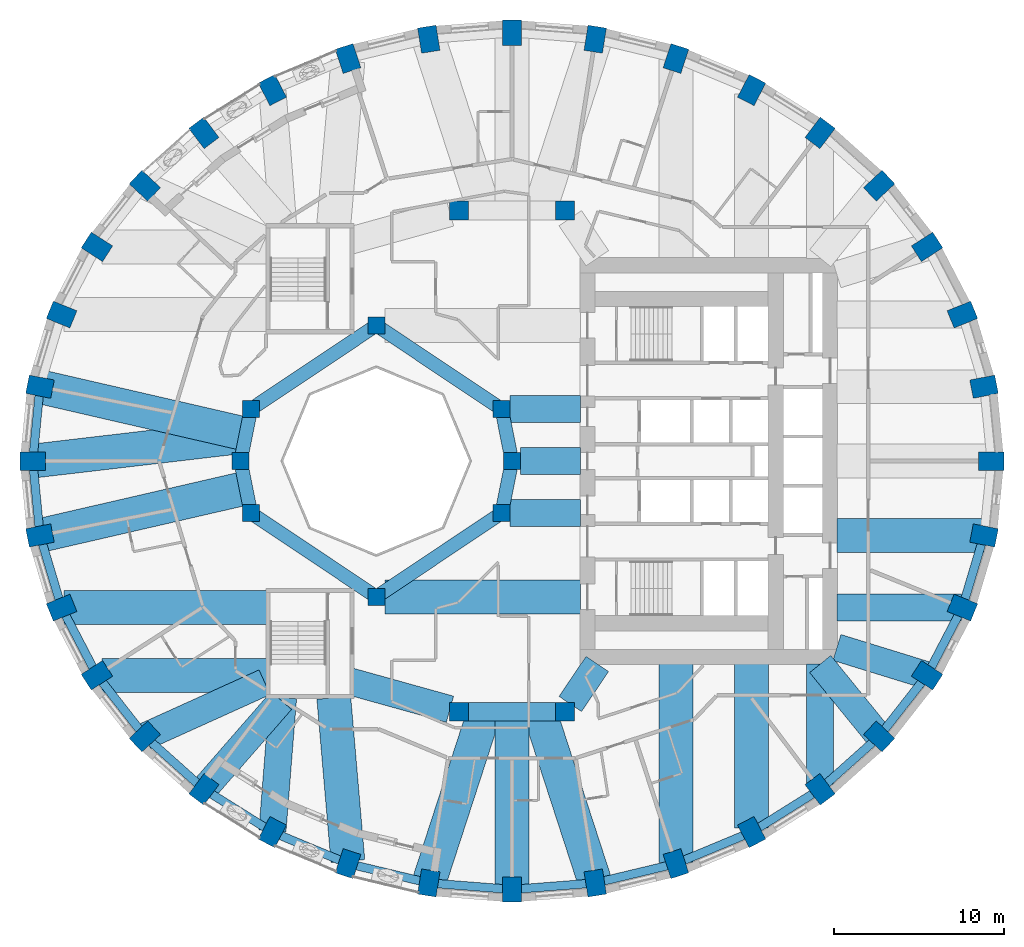
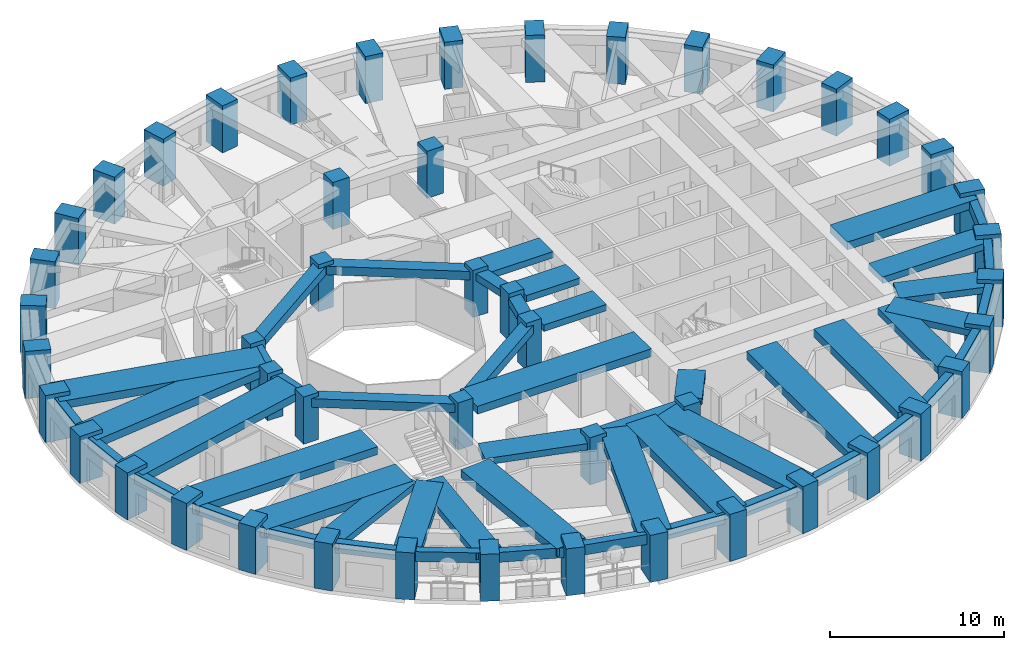
# One storey, part 1 of 13: 52 beams, 48 columns.
"""IFC4 building model written with IfcOpenShell, lengths in metres."""

from ifc_helpers import new_model, si_unit, direction, frame, origin, origin_2d, place, context, subcontext, project, spatial, rectangle, extrude, material, material_profile, profile_set, type_object, element, save


model = new_model("IFC4")

# Units and contexts
model_context = context("Model", 3, precision=1e-05, world=origin(), true_north=direction((0.0, 1.0)))
body_context = subcontext(model_context, "Body", "Model", "MODEL_VIEW")
ifc_project = project(units=[si_unit("LENGTHUNIT", "METRE"), si_unit("AREAUNIT", "SQUARE_METRE"), si_unit("VOLUMEUNIT", "CUBIC_METRE"), si_unit("PLANEANGLEUNIT", "RADIAN"), si_unit("MASSUNIT", "GRAM", prefix="KILO")], contexts=[model_context])

# Site, building, storey
site_placement = place(None, origin())
site = spatial("IfcSite", under=ifc_project, at=site_placement, CompositionType="ELEMENT")
building_placement = place(site_placement, origin())
building = spatial("IfcBuilding", under=site, at=building_placement, Name="Taillehof Tower", CompositionType="ELEMENT")
storey_placement = place(building_placement, frame((0.0, 0.0, 41.5)))
storey = spatial("IfcBuildingStorey", under=building, at=storey_placement, Name="L10", CompositionType="ELEMENT", Elevation=41.5)

# Columns
ifc_material_1 = material(Name="Concrete C50/60", Category="concrete")
ifc_material_profile_1 = material_profile(ifc_material_1, rectangle(XDim=1.0, YDim=1.0, at=origin_2d()), Name="RC 1000x1000")
ifc_profile_set_1 = profile_set([ifc_material_profile_1], Name="Concrete C50/60")
column_type_1 = type_object("IfcColumnType", Name="Atrium ring column C50/60 1000x1000", PredefinedType="COLUMN", material=ifc_profile_set_1)
for number, where, z_axis, x_axis, name in (
    (1, (0.0, 0.0, 0.0), (0.0, 0.0, 1.0), (1.0, 0.0, 0.0), "Column AC01"),
    (2, (-8.0, 8.0, 0.0), (0.0, 0.0, 1.0), (1.0, 0.0, 0.0), "Column AC05"),
    (3, (-15.39111328125, 3.0615234375, 0.0), (0.0, 0.0, 1.0), (1.0, 0.0, 0.0), "Column AC08"),
    (4, (-16.0, 0.0, 0.0), (0.0, 0.0, 1.0), (1.0, 0.0, 0.0), "Column AC09"),
    (5, (-15.39111328125, -3.0615234375, 0.0), (0.0, 0.0, 1.0), (1.0, 0.0, 0.0), "Column AC10"),
    (6, (-8.0, -8.0, 0.0), (0.0, 0.0, 1.0), (1.0, 0.0, 0.0), "Column AC13"),
):
    element("IfcColumn", number, at=place(storey_placement, frame(where, z_axis=z_axis, x_axis=x_axis)), inside=storey, type_object=column_type_1, Name=name, PredefinedType="COLUMN", context=body_context, shape_type="SweptSolid", body=[
        extrude(rectangle(XDim=1.0, YDim=1.0, at=origin_2d()), origin(), (0.0, 0.0, 1.0), 3.300048828125),
    ])
ifc_material_2 = material(Name="Concrete C60/75", Category="concrete")
ifc_material_profile_2 = material_profile(ifc_material_2, rectangle(XDim=1.0, YDim=1.0, at=origin_2d()), Name="RC 1000x1000")
ifc_profile_set_2 = profile_set([ifc_material_profile_2], Name="Concrete C60/75")
column_type_2 = type_object("IfcColumnType", Name="Atrium ring column C60/75 1000x1000", PredefinedType="COLUMN", material=ifc_profile_set_2)
for number, where, z_axis, x_axis, name in (
    (7, (-0.60888671875, 3.0615234375, 0.0), (0.0, 0.0, 1.0), (1.0, 0.0, 0.0), "Column AC02"),
    (8, (-0.60888671875, -3.0615234375, 0.0), (0.0, 0.0, 1.0), (1.0, 0.0, 0.0), "Column AC16"),
):
    element("IfcColumn", number, at=place(storey_placement, frame(where, z_axis=z_axis, x_axis=x_axis)), inside=storey, type_object=column_type_2, Name=name, PredefinedType="COLUMN", context=body_context, shape_type="SweptSolid", body=[
        extrude(rectangle(XDim=1.0, YDim=1.0, at=origin_2d()), origin(), (0.0, 0.0, 1.0), 3.300048828125),
    ])
ifc_material_3 = material(Name="Concrete C60/75", Category="concrete")
ifc_material_profile_3 = material_profile(ifc_material_3, rectangle(XDim=1.10009765625, YDim=1.10009765625, at=origin_2d()), Name="RC 1100x1100")
ifc_profile_set_3 = profile_set([ifc_material_profile_3], Name="Concrete C60/75")
column_type_3 = type_object("IfcColumnType", Name="Mid-ring column C60/75 1100x1100", PredefinedType="COLUMN", material=ifc_profile_set_3)
for number, where, z_axis, x_axis, name in (
    (9, (3.125732421875, 14.772216796875, 0.0), (0.0, 0.0, 1.0), (1.0, 0.0, 0.0), "Column MC05"),
    (10, (3.125732421875, -14.772216796875, 0.0), (0.0, 0.0, 1.0), (1.0, 0.0, 0.0), "Column MC15"),
):
    element("IfcColumn", number, at=place(storey_placement, frame(where, z_axis=z_axis, x_axis=x_axis)), inside=storey, type_object=column_type_3, Name=name, PredefinedType="COLUMN", context=body_context, shape_type="SweptSolid", body=[
        extrude(rectangle(XDim=1.10009765625, YDim=1.10009765625, at=origin_2d()), origin(), (0.0, 0.0, 1.0), 3.300048828125),
    ])
ifc_material_4 = material(Name="Concrete C70/85", Category="concrete")
ifc_material_profile_4 = material_profile(ifc_material_4, rectangle(XDim=1.10009765625, YDim=1.10009765625, at=origin_2d()), Name="RC 1100x1100")
ifc_profile_set_4 = profile_set([ifc_material_profile_4], Name="Concrete C70/85")
column_type_4 = type_object("IfcColumnType", Name="Mid-ring column C70/85 1100x1100", PredefinedType="COLUMN", material=ifc_profile_set_4)
for number, where, z_axis, x_axis, name in (
    (11, (-3.125732421875, 14.772216796875, 0.0), (0.0, 0.0, 1.0), (1.0, 0.0, 0.0), "Column MC06"),
    (12, (-3.125732421875, -14.772216796875, 0.0), (0.0, 0.0, 1.0), (1.0, 0.0, 0.0), "Column MC14"),
):
    element("IfcColumn", number, at=place(storey_placement, frame(where, z_axis=z_axis, x_axis=x_axis)), inside=storey, type_object=column_type_4, Name=name, PredefinedType="COLUMN", context=body_context, shape_type="SweptSolid", body=[
        extrude(rectangle(XDim=1.10009765625, YDim=1.10009765625, at=origin_2d()), origin(), (0.0, 0.0, 1.0), 3.300048828125),
    ])
ifc_material_5 = material(Name="Concrete C70/85", Category="concrete")
ifc_material_profile_5 = material_profile(ifc_material_5, rectangle(XDim=1.5, YDim=1.10009765625, at=origin_2d()), Name="RC 1500x1100")
ifc_profile_set_5 = profile_set([ifc_material_profile_5], Name="Concrete C70/85")
column_type_5 = type_object("IfcColumnType", Name="Ring column C70/85 1500x1100", PredefinedType="COLUMN", material=ifc_profile_set_5)
for number, where, z_axis, x_axis, name in (
    (13, (28.25, 0.0, 0.0), (0.0, 0.0, 1.0), (1.0, 0.0, 0.0), "Ring column RC01"),
    (14, (27.82080078125, 4.384521484375, 0.0), (0.0, 0.0, 1.0), (0.98120354895, 0.192975634545, 0.0), "Ring column RC02"),
    (15, (26.54638671875, 8.635986328125, 0.0), (0.0, 0.0, 1.0), (0.926558045297, 0.37615181602, 0.0), "Ring column RC03"),
    (16, (24.46533203125, 12.625, 0.0), (0.0, 0.0, 1.0), (0.840753565229, 0.541417992456, 0.0), "Ring column RC04"),
    (17, (21.640869140625, 16.23046875, 0.0), (0.0, 0.0, 1.0), (0.730113022917, 0.683326403535, 0.0), "Ring column RC05"),
    (18, (18.15869140625, 19.342529296875, 0.0), (0.0, 0.0, 1.0), (0.601173783055, 0.79911831575, 0.0), "Ring column RC06"),
    (19, (14.125, 21.8671875, 0.0), (0.0, 0.0, 1.0), (0.459691308511, 0.888078769524, 0.0), "Ring column RC07"),
    (20, (9.662109375, 23.727294921875, 0.0), (0.0, 0.0, 1.0), (0.310219183529, 0.950665060981, 0.0), "Ring column RC08"),
    (21, (4.905517578125, 24.866455078125, 0.0), (0.0, 0.0, 1.0), (0.15614709407, 0.987733812833, 0.0), "Ring column RC09"),
    (22, (0.0, 25.25, 0.0), (0.0, 0.0, 1.0), (0.0, 1.0, 0.0), "Ring column RC10"),
    (23, (-4.905517578125, 24.866455078125, 0.0), (0.0, 0.0, 1.0), (-0.15614709407, 0.987733812833, 0.0), "Ring column RC11"),
    (24, (-9.662109375, 23.727294921875, 0.0), (0.0, 0.0, 1.0), (-0.310219183529, 0.950665060981, 0.0), "Ring column RC12"),
    (25, (-14.125, 21.8671875, 0.0), (0.0, 0.0, 1.0), (-0.459691308511, 0.888078769524, 0.0), "Ring column RC13"),
    (26, (-18.15869140625, 19.342529296875, 0.0), (0.0, 0.0, 1.0), (-0.601173783055, 0.79911831575, 0.0), "Ring column RC14"),
    (27, (-21.640869140625, 16.23046875, 0.0), (0.0, 0.0, 1.0), (-0.730113022917, 0.683326403535, 0.0), "Ring column RC15"),
    (28, (-24.46533203125, 12.625, 0.0), (0.0, 0.0, 1.0), (-0.840753565229, 0.541417992456, 0.0), "Ring column RC16"),
    (29, (-26.54638671875, 8.635986328125, 0.0), (0.0, 0.0, 1.0), (-0.926558045297, 0.37615181602, 0.0), "Ring column RC17"),
    (30, (-27.82080078125, 4.384521484375, 0.0), (0.0, 0.0, 1.0), (-0.98120354895, 0.192975634545, 0.0), "Ring column RC18"),
    (31, (-28.25, 0.0, 0.0), (0.0, 0.0, 1.0), (-1.0, 0.0, 0.0), "Ring column RC19"),
    (32, (-27.82080078125, -4.384521484375, 0.0), (0.0, 0.0, 1.0), (-0.98120354895, -0.192975634545, 0.0), "Ring column RC20"),
    (33, (-26.54638671875, -8.635986328125, 0.0), (0.0, 0.0, 1.0), (-0.926558045297, -0.37615181602, 0.0), "Ring column RC21"),
    (34, (-24.46533203125, -12.625, 0.0), (0.0, 0.0, 1.0), (-0.840753565229, -0.541417992456, 0.0), "Ring column RC22"),
    (35, (-21.640869140625, -16.23046875, 0.0), (0.0, 0.0, 1.0), (-0.730113022917, -0.683326403535, 0.0), "Ring column RC23"),
    (36, (-18.15869140625, -19.342529296875, 0.0), (0.0, 0.0, 1.0), (-0.601173783055, -0.79911831575, 0.0), "Ring column RC24"),
    (37, (-14.125, -21.8671875, 0.0), (0.0, 0.0, 1.0), (-0.459691308511, -0.888078769524, 0.0), "Ring column RC25"),
    (38, (-9.662109375, -23.727294921875, 0.0), (0.0, 0.0, 1.0), (-0.310219183529, -0.950665060981, 0.0), "Ring column RC26"),
    (39, (-4.905517578125, -24.866455078125, 0.0), (0.0, 0.0, 1.0), (-0.15614709407, -0.987733812833, 0.0), "Ring column RC27"),
    (40, (0.0, -25.25, 0.0), (0.0, 0.0, 1.0), (0.0, -1.0, 0.0), "Ring column RC28"),
    (41, (4.905517578125, -24.866455078125, 0.0), (0.0, 0.0, 1.0), (0.15614709407, -0.987733812833, 0.0), "Ring column RC29"),
    (42, (9.662109375, -23.727294921875, 0.0), (0.0, 0.0, 1.0), (0.310219183529, -0.950665060981, 0.0), "Ring column RC30"),
    (43, (14.125, -21.8671875, 0.0), (0.0, 0.0, 1.0), (0.459691308511, -0.888078769524, 0.0), "Ring column RC31"),
    (44, (18.15869140625, -19.342529296875, 0.0), (0.0, 0.0, 1.0), (0.601173783055, -0.79911831575, 0.0), "Ring column RC32"),
    (45, (21.640869140625, -16.23046875, 0.0), (0.0, 0.0, 1.0), (0.730113022917, -0.683326403535, 0.0), "Ring column RC33"),
    (46, (24.46533203125, -12.625, 0.0), (0.0, 0.0, 1.0), (0.840753565229, -0.541417992456, 0.0), "Ring column RC34"),
    (47, (26.54638671875, -8.635986328125, 0.0), (0.0, 0.0, 1.0), (0.926558045297, -0.37615181602, 0.0), "Ring column RC35"),
    (48, (27.82080078125, -4.384521484375, 0.0), (0.0, 0.0, 1.0), (0.98120354895, -0.192975634545, 0.0), "Ring column RC36"),
):
    element("IfcColumn", number, at=place(storey_placement, frame(where, z_axis=z_axis, x_axis=x_axis)), inside=storey, type_object=column_type_5, Name=name, PredefinedType="COLUMN", context=body_context, shape_type="SweptSolid", body=[
        extrude(rectangle(XDim=1.5, YDim=1.10009765625, at=origin_2d()), origin(), (0.0, 0.0, 1.0), 3.300048828125),
    ])

# Beams
ifc_material_6 = material(Name="Concrete C50/60", Category="concrete")
ifc_material_profile_6 = material_profile(ifc_material_6, rectangle(XDim=0.800048828125, YDim=0.5, at=origin_2d()), Name="RC 800x500")
ifc_profile_set_6 = profile_set([ifc_material_profile_6], Name="Concrete C50/60")
beam_type_1 = type_object("IfcBeamType", Name="Atrium ring beam C50/60 800x500", PredefinedType="BEAM", material=ifc_profile_set_6)
for number, where, z_axis, x_axis, name in (
    (49, (0.0, 0.0, 2.77001953125), (-0.195063155143, 0.980790683839, 0.0), (-0.980790683839, -0.195063155143, 0.0), "Atrium ring beam AB01"),
    (50, (-15.39111328125, 3.0615234375, 2.77001953125), (-0.195063155143, -0.980790683839, 0.0), (0.980790683839, -0.195063155143, 0.0), "Atrium ring beam AB04"),
    (51, (-16.0, 0.0, 2.77001953125), (0.195063155143, -0.980790683839, 0.0), (0.980790683839, 0.195063155143, 0.0), "Atrium ring beam AB05"),
    (52, (-0.60888671875, -3.0615234375, 2.77001953125), (0.195063155143, 0.980790683839, 0.0), (-0.980790683839, 0.195063155143, 0.0), "Atrium ring beam AB08"),
):
    element("IfcBeam", number, at=place(storey_placement, frame(where, z_axis=z_axis, x_axis=x_axis)), inside=storey, type_object=beam_type_1, Name=name, PredefinedType="BEAM", context=body_context, shape_type="SweptSolid", body=[
        extrude(rectangle(XDim=0.800048828125, YDim=0.5, at=origin_2d()), origin(), (0.0, 0.0, 1.0), 3.12158203125),
    ])
ifc_material_7 = material(Name="Concrete C50/60", Category="concrete")
ifc_material_profile_7 = material_profile(ifc_material_7, rectangle(XDim=0.800048828125, YDim=0.60009765625, at=origin_2d()), Name="RC 800x600")
ifc_profile_set_7 = profile_set([ifc_material_profile_7], Name="Concrete C50/60")
beam_type_2 = type_object("IfcBeamType", Name="Atrium ring beam C50/60 800x600", PredefinedType="BEAM", material=ifc_profile_set_7)
for number, where, z_axis, x_axis, name in (
    (53, (-0.60888671875, 3.0615234375, 2.719970703125), (-0.831475195687, 0.555561876804, 0.0), (-0.555561876804, -0.831475195687, 0.0), "Atrium ring beam AB02"),
    (54, (-8.0, 8.0, 2.719970703125), (-0.831475195687, -0.555561876804, 0.0), (0.555561876804, -0.831475195687, 0.0), "Atrium ring beam AB03"),
    (55, (-15.39111328125, -3.0615234375, 2.719970703125), (0.831475195687, -0.555561876804, 0.0), (0.555561876804, 0.831475195687, 0.0), "Atrium ring beam AB06"),
    (56, (-8.0, -8.0, 2.719970703125), (0.831475195687, 0.555561876804, 0.0), (-0.555561876804, 0.831475195687, 0.0), "Atrium ring beam AB07"),
):
    element("IfcBeam", number, at=place(storey_placement, frame(where, z_axis=z_axis, x_axis=x_axis)), inside=storey, type_object=beam_type_2, Name=name, PredefinedType="BEAM", context=body_context, shape_type="SweptSolid", body=[
        extrude(rectangle(XDim=0.800048828125, YDim=0.60009765625, at=origin_2d()), origin(), (0.0, 0.0, 1.0), 8.88916015625),
    ])
ifc_material_8 = material(Name="Concrete C50/60", Category="concrete")
ifc_material_profile_8 = material_profile(ifc_material_8, rectangle(XDim=1.10009765625, YDim=0.60009765625, at=origin_2d()), Name="RC 1100x600")
ifc_profile_set_8 = profile_set([ifc_material_profile_8], Name="Concrete C50/60")
beam_type_3 = type_object("IfcBeamType", Name="Mid-ring beam C50/60 1100x600", PredefinedType="BEAM", material=ifc_profile_set_8)
beam_1_placement = place(storey_placement, frame((-3.125732421875, -14.772216796875, 2.719970703125), z_axis=(1.0, 0.0, 0.0), x_axis=(0.0, 1.0, 0.0)))
element("IfcBeam", 57, at=beam_1_placement, inside=storey, type_object=beam_type_3, Name="Mid-ring beam MB02", PredefinedType="BEAM", context=body_context, shape_type="SweptSolid", body=[
    extrude(rectangle(XDim=1.10009765625, YDim=0.60009765625, at=origin_2d()), origin(), (0.0, 0.0, 1.0), 6.25146484375),
])
ifc_material_9 = material(Name="Concrete C50/60", Category="concrete")
ifc_material_profile_9 = material_profile(ifc_material_9, rectangle(XDim=1.60009765625, YDim=0.449951171875, at=origin_2d()), Name="RC 1600x450")
ifc_profile_set_9 = profile_set([ifc_material_profile_9], Name="Concrete C50/60")
beam_type_4 = type_object("IfcBeamType", Name="Radial band beam C50/60 1600x450", PredefinedType="BEAM", material=ifc_profile_set_9)
beam_2_placement = place(storey_placement, frame((-21.632568359375, -16.226806640625, 2.794921875), z_axis=(0.911100590789, 0.412184077161, 0.0), x_axis=(-0.412184077161, 0.911100590789, 0.0)))
element("IfcBeam", 58, at=beam_2_placement, inside=storey, type_object=beam_type_4, Name="Radial band beam RB23", PredefinedType="BEAM", context=body_context, shape_type="SweptSolid", body=[
    extrude(rectangle(XDim=1.60009765625, YDim=0.449951171875, at=origin_2d()), origin(), (0.0, 0.0, 1.0), 7.740966796875),
])
beam_3_placement = place(storey_placement, frame((-18.15869140625, -19.342529296875, 2.794921875), z_axis=(0.65721824087, 0.753700327628, 0.0), x_axis=(-0.753700327628, 0.65721824087, 0.0)))
element("IfcBeam", 59, at=beam_3_placement, inside=storey, type_object=beam_type_4, Name="Radial band beam RB24", PredefinedType="BEAM", context=body_context, shape_type="SweptSolid", body=[
    extrude(rectangle(XDim=1.60009765625, YDim=0.449951171875, at=origin_2d()), origin(), (0.0, 0.0, 1.0), 6.9384765625),
])
beam_4_placement = place(storey_placement, frame((-14.119873046875, -21.802978515625, 2.794921875), z_axis=(0.079184740988, 0.996859958467, 0.0), x_axis=(-0.996859958467, 0.079184740988, 0.0)))
element("IfcBeam", 60, at=beam_4_placement, inside=storey, type_object=beam_type_4, Name="Radial band beam RB25", PredefinedType="BEAM", context=body_context, shape_type="SweptSolid", body=[
    extrude(rectangle(XDim=1.60009765625, YDim=0.449951171875, at=origin_2d()), origin(), (0.0, 0.0, 1.0), 7.87744140625),
])
beam_5_placement = place(storey_placement, frame((18.15869140625, -19.05517578125, 2.794921875), z_axis=(0.0, 1.0, 0.0), x_axis=(-1.0, 0.0, 0.0)))
element("IfcBeam", 61, at=beam_5_placement, inside=storey, type_object=beam_type_4, Name="Radial band beam RB32", PredefinedType="BEAM", context=body_context, shape_type="SweptSolid", body=[
    extrude(rectangle(XDim=1.60009765625, YDim=0.449951171875, at=origin_2d()), origin(), (0.0, 0.0, 1.0), 7.105224609375),
])
beam_6_placement = place(storey_placement, frame((21.640869140625, -16.23046875, 2.794921875), z_axis=(-0.630988373846, 0.775792286679, 0.0), x_axis=(-0.775792286679, -0.630988373846, 0.0)))
element("IfcBeam", 62, at=beam_6_placement, inside=storey, type_object=beam_type_4, Name="Radial band beam RB33", PredefinedType="BEAM", context=body_context, shape_type="SweptSolid", body=[
    extrude(rectangle(XDim=1.60009765625, YDim=0.449951171875, at=origin_2d()), origin(), (0.0, 0.0, 1.0), 5.503173828125),
])
beam_7_placement = place(storey_placement, frame((24.46533203125, -12.625, 2.794921875), z_axis=(-0.955535654338, 0.294875589511, 0.0), x_axis=(-0.294875589511, -0.955535654338, 0.0)))
element("IfcBeam", 63, at=beam_7_placement, inside=storey, type_object=beam_type_4, Name="Radial band beam RB34", PredefinedType="BEAM", context=body_context, shape_type="SweptSolid", body=[
    extrude(rectangle(XDim=1.60009765625, YDim=0.449951171875, at=origin_2d()), origin(), (0.0, 0.0, 1.0), 5.560546875),
])
beam_8_placement = place(storey_placement, frame((26.490478515625, -8.635986328125, 2.794921875), z_axis=(-1.0, 0.0, 0.0), x_axis=(0.0, -1.0, 0.0)))
element("IfcBeam", 64, at=beam_8_placement, inside=storey, type_object=beam_type_4, Name="Radial band beam RB35", PredefinedType="BEAM", context=body_context, shape_type="SweptSolid", body=[
    extrude(rectangle(XDim=1.60009765625, YDim=0.449951171875, at=origin_2d()), origin(), (0.0, 0.0, 1.0), 7.340576171875),
])
beam_9_placement = place(storey_placement, frame((0.5, 0.0, 2.794921875), z_axis=(1.0, 0.0, 0.0), x_axis=(0.0, 1.0, 0.0)))
element("IfcBeam", 65, at=beam_9_placement, inside=storey, type_object=beam_type_4, Name="Inner band beam IB101", PredefinedType="BEAM", context=body_context, shape_type="SweptSolid", body=[
    extrude(rectangle(XDim=1.60009765625, YDim=0.449951171875, at=origin_2d()), origin(), (0.0, 0.0, 1.0), 3.550048828125),
])
for number, where, z_axis, x_axis, name in (
    (66, (-0.10888671875, 3.0615234375, 2.794921875), (1.0, 0.0, 0.0), (0.0, 1.0, 0.0), "Inner band beam IB102"),
    (67, (-0.10888671875, -3.0615234375, 2.794921875), (1.0, 0.0, 0.0), (0.0, 1.0, 0.0), "Inner band beam IB116"),
):
    element("IfcBeam", number, at=place(storey_placement, frame(where, z_axis=z_axis, x_axis=x_axis)), inside=storey, type_object=beam_type_4, Name=name, PredefinedType="BEAM", context=body_context, shape_type="SweptSolid", body=[
        extrude(rectangle(XDim=1.60009765625, YDim=0.449951171875, at=origin_2d()), origin(), (0.0, 0.0, 1.0), 4.158935546875),
    ])
beam_10_placement = place(storey_placement, frame((-3.655517578125, -14.624755859375, 2.794921875), z_axis=(-0.963459369536, 0.267854518821, 0.0), x_axis=(-0.267854518821, -0.963459369536, 0.0)))
element("IfcBeam", 68, at=beam_10_placement, inside=storey, type_object=beam_type_4, Name="Inner band beam IB214", PredefinedType="BEAM", context=body_context, shape_type="SweptSolid", body=[
    extrude(rectangle(XDim=1.60009765625, YDim=0.449951171875, at=origin_2d()), origin(), (0.0, 0.0, 1.0), 6.096923828125),
])
beam_11_placement = place(storey_placement, frame((3.433837890625, -14.31640625, 2.794921875), z_axis=(0.560112043398, 0.828416862962, 0.0), x_axis=(-0.828416862962, 0.560112043398, 0.0)))
element("IfcBeam", 69, at=beam_11_placement, inside=storey, type_object=beam_type_4, Name="Inner band beam IB215", PredefinedType="BEAM", context=body_context, shape_type="SweptSolid", body=[
    extrude(rectangle(XDim=1.60009765625, YDim=0.449951171875, at=origin_2d()), origin(), (0.0, 0.0, 1.0), 2.84619140625),
])
ifc_material_10 = material(Name="Concrete C50/60", Category="concrete")
ifc_material_profile_10 = material_profile(ifc_material_10, rectangle(XDim=2.0, YDim=0.550048828125, at=origin_2d()), Name="RC 2000x550")
ifc_profile_set_10 = profile_set([ifc_material_profile_10], Name="Concrete C50/60")
beam_type_5 = type_object("IfcBeamType", Name="Radial band beam C50/60 2000x550", PredefinedType="BEAM", material=ifc_profile_set_10)
beam_12_placement = place(storey_placement, frame((-27.82080078125, 4.384521484375, 2.7451171875), z_axis=(0.974509005862, -0.2243483842, 0.0), x_axis=(0.2243483842, 0.974509005862, 0.0)))
element("IfcBeam", 70, at=beam_12_placement, inside=storey, type_object=beam_type_5, Name="Radial band beam RB18", PredefinedType="BEAM", context=body_context, shape_type="SweptSolid", body=[
    extrude(rectangle(XDim=2.0, YDim=0.550048828125, at=origin_2d()), origin(), (0.0, 0.0, 1.0), 12.45458984375),
])
beam_13_placement = place(storey_placement, frame((-28.25, 0.0, 2.7451171875), z_axis=(0.993191188018, 0.11649576835, 0.0), x_axis=(-0.11649576835, 0.993191188018, 0.0)))
element("IfcBeam", 71, at=beam_13_placement, inside=storey, type_object=beam_type_5, Name="Radial band beam RB19", PredefinedType="BEAM", context=body_context, shape_type="SweptSolid", body=[
    extrude(rectangle(XDim=2.0, YDim=0.550048828125, at=origin_2d()), origin(), (0.0, 0.0, 1.0), 12.628662109375),
])
beam_14_placement = place(storey_placement, frame((-27.82080078125, -4.384521484375, 2.7451171875), z_axis=(0.974509005862, 0.2243483842, 0.0), x_axis=(-0.2243483842, 0.974509005862, 0.0)))
element("IfcBeam", 72, at=beam_14_placement, inside=storey, type_object=beam_type_5, Name="Radial band beam RB20", PredefinedType="BEAM", context=body_context, shape_type="SweptSolid", body=[
    extrude(rectangle(XDim=2.0, YDim=0.550048828125, at=origin_2d()), origin(), (0.0, 0.0, 1.0), 12.45458984375),
])
beam_15_placement = place(storey_placement, frame((-26.408935546875, -8.635986328125, 2.7451171875), z_axis=(1.0, 0.0, 0.0), x_axis=(0.0, 1.0, 0.0)))
element("IfcBeam", 73, at=beam_15_placement, inside=storey, type_object=beam_type_5, Name="Radial band beam RB21", PredefinedType="BEAM", context=body_context, shape_type="SweptSolid", body=[
    extrude(rectangle(XDim=2.0, YDim=0.550048828125, at=origin_2d()), origin(), (0.0, 0.0, 1.0), 11.958984375),
])
beam_16_placement = place(storey_placement, frame((-24.172607421875, -12.625, 2.7451171875), z_axis=(1.0, 0.0, 0.0), x_axis=(0.0, 1.0, 0.0)))
element("IfcBeam", 74, at=beam_16_placement, inside=storey, type_object=beam_type_5, Name="Radial band beam RB22", PredefinedType="BEAM", context=body_context, shape_type="SweptSolid", body=[
    extrude(rectangle(XDim=2.0, YDim=0.550048828125, at=origin_2d()), origin(), (0.0, 0.0, 1.0), 9.72265625),
])
beam_17_placement = place(storey_placement, frame((-9.675048828125, -23.575927734375, 2.7451171875), z_axis=(-0.085841202752, 0.996308831593, 0.0), x_axis=(-0.996308831593, -0.085841202752, 0.0)))
element("IfcBeam", 75, at=beam_17_placement, inside=storey, type_object=beam_type_5, Name="Radial band beam RB26", PredefinedType="BEAM", context=body_context, shape_type="SweptSolid", body=[
    extrude(rectangle(XDim=2.0, YDim=0.550048828125, at=origin_2d()), origin(), (0.0, 0.0, 1.0), 9.661376953125),
])
beam_18_placement = place(storey_placement, frame((-4.905517578125, -24.866455078125, 2.7451171875), z_axis=(0.309014294595, 0.951057393503, 0.0), x_axis=(-0.951057393503, 0.309014294595, 0.0)))
element("IfcBeam", 76, at=beam_18_placement, inside=storey, type_object=beam_type_5, Name="Radial band beam RB27", PredefinedType="BEAM", context=body_context, shape_type="SweptSolid", body=[
    extrude(rectangle(XDim=2.0, YDim=0.550048828125, at=origin_2d()), origin(), (0.0, 0.0, 1.0), 10.61376953125),
])
beam_19_placement = place(storey_placement, frame((0.0, -25.25, 2.7451171875), z_axis=(0.0, 1.0, 0.0), x_axis=(-1.0, 0.0, 0.0)))
element("IfcBeam", 77, at=beam_19_placement, inside=storey, type_object=beam_type_5, Name="Radial band beam RB28", PredefinedType="BEAM", context=body_context, shape_type="SweptSolid", body=[
    extrude(rectangle(XDim=2.0, YDim=0.550048828125, at=origin_2d()), origin(), (0.0, 0.0, 1.0), 10.477783203125),
])
beam_20_placement = place(storey_placement, frame((4.905517578125, -24.866455078125, 2.7451171875), z_axis=(-0.309014294595, 0.951057393503, 0.0), x_axis=(-0.951057393503, -0.309014294595, 0.0)))
element("IfcBeam", 78, at=beam_20_placement, inside=storey, type_object=beam_type_5, Name="Radial band beam RB29", PredefinedType="BEAM", context=body_context, shape_type="SweptSolid", body=[
    extrude(rectangle(XDim=2.0, YDim=0.550048828125, at=origin_2d()), origin(), (0.0, 0.0, 1.0), 10.61376953125),
])
beam_21_placement = place(storey_placement, frame((9.662109375, -23.664794921875, 2.7451171875), z_axis=(0.0, 1.0, 0.0), x_axis=(-1.0, 0.0, 0.0)))
element("IfcBeam", 79, at=beam_21_placement, inside=storey, type_object=beam_type_5, Name="Radial band beam RB30", PredefinedType="BEAM", context=body_context, shape_type="SweptSolid", body=[
    extrude(rectangle(XDim=2.0, YDim=0.550048828125, at=origin_2d()), origin(), (0.0, 0.0, 1.0), 11.71484375),
])
beam_22_placement = place(storey_placement, frame((14.125, -21.63232421875, 2.7451171875), z_axis=(0.0, 1.0, 0.0), x_axis=(-1.0, 0.0, 0.0)))
element("IfcBeam", 80, at=beam_22_placement, inside=storey, type_object=beam_type_5, Name="Radial band beam RB31", PredefinedType="BEAM", context=body_context, shape_type="SweptSolid", body=[
    extrude(rectangle(XDim=2.0, YDim=0.550048828125, at=origin_2d()), origin(), (0.0, 0.0, 1.0), 9.682373046875),
])
beam_23_placement = place(storey_placement, frame((27.82080078125, -4.384521484375, 2.7451171875), z_axis=(-1.0, 0.0, 0.0), x_axis=(0.0, -1.0, 0.0)))
element("IfcBeam", 81, at=beam_23_placement, inside=storey, type_object=beam_type_5, Name="Radial band beam RB36", PredefinedType="BEAM", context=body_context, shape_type="SweptSolid", body=[
    extrude(rectangle(XDim=2.0, YDim=0.550048828125, at=origin_2d()), origin(), (0.0, 0.0, 1.0), 8.6708984375),
])
beam_24_placement = place(storey_placement, frame((-7.5, -8.0, 2.7451171875), z_axis=(1.0, 0.0, 0.0), x_axis=(0.0, 1.0, 0.0)))
element("IfcBeam", 82, at=beam_24_placement, inside=storey, type_object=beam_type_5, Name="Inner band beam IB113", PredefinedType="BEAM", context=body_context, shape_type="SweptSolid", body=[
    extrude(rectangle(XDim=2.0, YDim=0.550048828125, at=origin_2d()), origin(), (0.0, 0.0, 1.0), 11.550048828125),
])
ifc_material_11 = material(Name="Concrete C50/60", Category="concrete")
ifc_material_profile_11 = material_profile(ifc_material_11, rectangle(XDim=0.5, YDim=0.699951171875, at=origin_2d()), Name="RC 500x700")
ifc_profile_set_11 = profile_set([ifc_material_profile_11], Name="Concrete C50/60")
beam_type_6 = type_object("IfcBeamType", Name="Spandrel beam C50/60 500x700", PredefinedType="SPANDREL", material=ifc_profile_set_11)
for number, where, z_axis, x_axis, name in (
    (83, (-27.82080078125, 4.384521484375, 2.669921875), (-0.097423973567, -0.99524297002, 0.0), (0.99524297002, -0.097423973567, 0.0), "Spandrel beam SB18"),
    (84, (-28.25, 0.0, 2.669921875), (0.097423973567, -0.99524297002, 0.0), (0.99524297002, 0.097423973567, 0.0), "Spandrel beam SB19"),
):
    element("IfcBeam", number, at=place(storey_placement, frame(where, z_axis=z_axis, x_axis=x_axis)), inside=storey, type_object=beam_type_6, Name=name, PredefinedType="SPANDREL", context=body_context, shape_type="SweptSolid", body=[
        extrude(rectangle(XDim=0.5, YDim=0.699951171875, at=origin_2d()), origin(), (0.0, 0.0, 1.0), 4.405517578125),
    ])
beam_25_placement = place(storey_placement, frame((-27.82080078125, -4.384521484375, 2.669921875), z_axis=(0.287135925407, -0.957889847707, 0.0), x_axis=(0.957889847707, 0.287135925407, 0.0)))
element("IfcBeam", 85, at=beam_25_placement, inside=storey, type_object=beam_type_6, Name="Spandrel beam SB20", PredefinedType="SPANDREL", context=body_context, shape_type="SweptSolid", body=[
    extrude(rectangle(XDim=0.5, YDim=0.699951171875, at=origin_2d()), origin(), (0.0, 0.0, 1.0), 4.4384765625),
])
beam_26_placement = place(storey_placement, frame((-26.54638671875, -8.635986328125, 2.669921875), z_axis=(0.462536335232, -0.886600326297, 0.0), x_axis=(0.886600326297, 0.462536335232, 0.0)))
element("IfcBeam", 86, at=beam_26_placement, inside=storey, type_object=beam_type_6, Name="Spandrel beam SB21", PredefinedType="SPANDREL", context=body_context, shape_type="SweptSolid", body=[
    extrude(rectangle(XDim=0.5, YDim=0.699951171875, at=origin_2d()), origin(), (0.0, 0.0, 1.0), 4.499267578125),
])
beam_27_placement = place(storey_placement, frame((-24.46533203125, -12.625, 2.669921875), z_axis=(0.616686200373, -0.787209076593, 0.0), x_axis=(0.787209076593, 0.616686200373, 0.0)))
element("IfcBeam", 87, at=beam_27_placement, inside=storey, type_object=beam_type_6, Name="Spandrel beam SB22", PredefinedType="SPANDREL", context=body_context, shape_type="SweptSolid", body=[
    extrude(rectangle(XDim=0.5, YDim=0.699951171875, at=origin_2d()), origin(), (0.0, 0.0, 1.0), 4.580078125),
])
beam_28_placement = place(storey_placement, frame((-21.640869140625, -16.23046875, 2.669921875), z_axis=(0.745621283614, -0.666369943366, 0.0), x_axis=(0.666369943366, 0.745621283614, 0.0)))
element("IfcBeam", 88, at=beam_28_placement, inside=storey, type_object=beam_type_6, Name="Spandrel beam SB23", PredefinedType="SPANDREL", context=body_context, shape_type="SweptSolid", body=[
    extrude(rectangle(XDim=0.5, YDim=0.699951171875, at=origin_2d()), origin(), (0.0, 0.0, 1.0), 4.670166015625),
])
beam_29_placement = place(storey_placement, frame((-18.15869140625, -19.342529296875, 2.669921875), z_axis=(0.847658018883, -0.530543007703, 0.0), x_axis=(0.530543007703, 0.847658018883, 0.0)))
element("IfcBeam", 89, at=beam_29_placement, inside=storey, type_object=beam_type_6, Name="Spandrel beam SB24", PredefinedType="SPANDREL", context=body_context, shape_type="SweptSolid", body=[
    extrude(rectangle(XDim=0.5, YDim=0.699951171875, at=origin_2d()), origin(), (0.0, 0.0, 1.0), 4.758544921875),
])
beam_30_placement = place(storey_placement, frame((-14.125, -21.8671875, 2.669921875), z_axis=(0.923035088053, -0.384715773297, 0.0), x_axis=(0.384715773297, 0.923035088053, 0.0)))
element("IfcBeam", 90, at=beam_30_placement, inside=storey, type_object=beam_type_6, Name="Spandrel beam SB25", PredefinedType="SPANDREL", context=body_context, shape_type="SweptSolid", body=[
    extrude(rectangle(XDim=0.5, YDim=0.699951171875, at=origin_2d()), origin(), (0.0, 0.0, 1.0), 4.8349609375),
])
beam_31_placement = place(storey_placement, frame((-9.662109375, -23.727294921875, 2.669921875), z_axis=(0.9724995553, -0.232904733616, 0.0), x_axis=(0.232904733616, 0.9724995553, 0.0)))
element("IfcBeam", 91, at=beam_31_placement, inside=storey, type_object=beam_type_6, Name="Spandrel beam SB26", PredefinedType="SPANDREL", context=body_context, shape_type="SweptSolid", body=[
    extrude(rectangle(XDim=0.5, YDim=0.699951171875, at=origin_2d()), origin(), (0.0, 0.0, 1.0), 4.89111328125),
])
for number, where, z_axis, x_axis, name in (
    (92, (-4.905517578125, -24.866455078125, 2.669921875), (0.996957383661, -0.077948541767, 0.0), (0.077948541767, 0.996957383661, 0.0), "Spandrel beam SB27"),
    (93, (0.0, -25.25, 2.669921875), (0.996957383661, 0.077948541767, 0.0), (-0.077948541767, 0.996957383661, 0.0), "Spandrel beam SB28"),
):
    element("IfcBeam", number, at=place(storey_placement, frame(where, z_axis=z_axis, x_axis=x_axis)), inside=storey, type_object=beam_type_6, Name=name, PredefinedType="SPANDREL", context=body_context, shape_type="SweptSolid", body=[
        extrude(rectangle(XDim=0.5, YDim=0.699951171875, at=origin_2d()), origin(), (0.0, 0.0, 1.0), 4.92041015625),
    ])
beam_32_placement = place(storey_placement, frame((4.905517578125, -24.866455078125, 2.669921875), z_axis=(0.9724995553, 0.232904733616, 0.0), x_axis=(-0.232904733616, 0.9724995553, 0.0)))
element("IfcBeam", 94, at=beam_32_placement, inside=storey, type_object=beam_type_6, Name="Spandrel beam SB29", PredefinedType="SPANDREL", context=body_context, shape_type="SweptSolid", body=[
    extrude(rectangle(XDim=0.5, YDim=0.699951171875, at=origin_2d()), origin(), (0.0, 0.0, 1.0), 4.89111328125),
])
beam_33_placement = place(storey_placement, frame((9.662109375, -23.727294921875, 2.669921875), z_axis=(0.923035088053, 0.384715773297, 0.0), x_axis=(-0.384715773297, 0.923035088053, 0.0)))
element("IfcBeam", 95, at=beam_33_placement, inside=storey, type_object=beam_type_6, Name="Spandrel beam SB30", PredefinedType="SPANDREL", context=body_context, shape_type="SweptSolid", body=[
    extrude(rectangle(XDim=0.5, YDim=0.699951171875, at=origin_2d()), origin(), (0.0, 0.0, 1.0), 4.8349609375),
])
beam_34_placement = place(storey_placement, frame((14.125, -21.8671875, 2.669921875), z_axis=(0.847658018883, 0.530543007703, 0.0), x_axis=(-0.530543007703, 0.847658018883, 0.0)))
element("IfcBeam", 96, at=beam_34_placement, inside=storey, type_object=beam_type_6, Name="Spandrel beam SB31", PredefinedType="SPANDREL", context=body_context, shape_type="SweptSolid", body=[
    extrude(rectangle(XDim=0.5, YDim=0.699951171875, at=origin_2d()), origin(), (0.0, 0.0, 1.0), 4.758544921875),
])
beam_35_placement = place(storey_placement, frame((18.15869140625, -19.342529296875, 2.669921875), z_axis=(0.745621283614, 0.666369943366, 0.0), x_axis=(-0.666369943366, 0.745621283614, 0.0)))
element("IfcBeam", 97, at=beam_35_placement, inside=storey, type_object=beam_type_6, Name="Spandrel beam SB32", PredefinedType="SPANDREL", context=body_context, shape_type="SweptSolid", body=[
    extrude(rectangle(XDim=0.5, YDim=0.699951171875, at=origin_2d()), origin(), (0.0, 0.0, 1.0), 4.670166015625),
])
beam_36_placement = place(storey_placement, frame((21.640869140625, -16.23046875, 2.669921875), z_axis=(0.616686200373, 0.787209076593, 0.0), x_axis=(-0.787209076593, 0.616686200373, 0.0)))
element("IfcBeam", 98, at=beam_36_placement, inside=storey, type_object=beam_type_6, Name="Spandrel beam SB33", PredefinedType="SPANDREL", context=body_context, shape_type="SweptSolid", body=[
    extrude(rectangle(XDim=0.5, YDim=0.699951171875, at=origin_2d()), origin(), (0.0, 0.0, 1.0), 4.580078125),
])
beam_37_placement = place(storey_placement, frame((24.46533203125, -12.625, 2.669921875), z_axis=(0.462536335232, 0.886600326297, 0.0), x_axis=(-0.886600326297, 0.462536335232, 0.0)))
element("IfcBeam", 99, at=beam_37_placement, inside=storey, type_object=beam_type_6, Name="Spandrel beam SB34", PredefinedType="SPANDREL", context=body_context, shape_type="SweptSolid", body=[
    extrude(rectangle(XDim=0.5, YDim=0.699951171875, at=origin_2d()), origin(), (0.0, 0.0, 1.0), 4.499267578125),
])
beam_38_placement = place(storey_placement, frame((26.54638671875, -8.635986328125, 2.669921875), z_axis=(0.287135925407, 0.957889847707, 0.0), x_axis=(-0.957889847707, 0.287135925407, 0.0)))
element("IfcBeam", 100, at=beam_38_placement, inside=storey, type_object=beam_type_6, Name="Spandrel beam SB35", PredefinedType="SPANDREL", context=body_context, shape_type="SweptSolid", body=[
    extrude(rectangle(XDim=0.5, YDim=0.699951171875, at=origin_2d()), origin(), (0.0, 0.0, 1.0), 4.4384765625),
])

save(model, "model.ifc")
